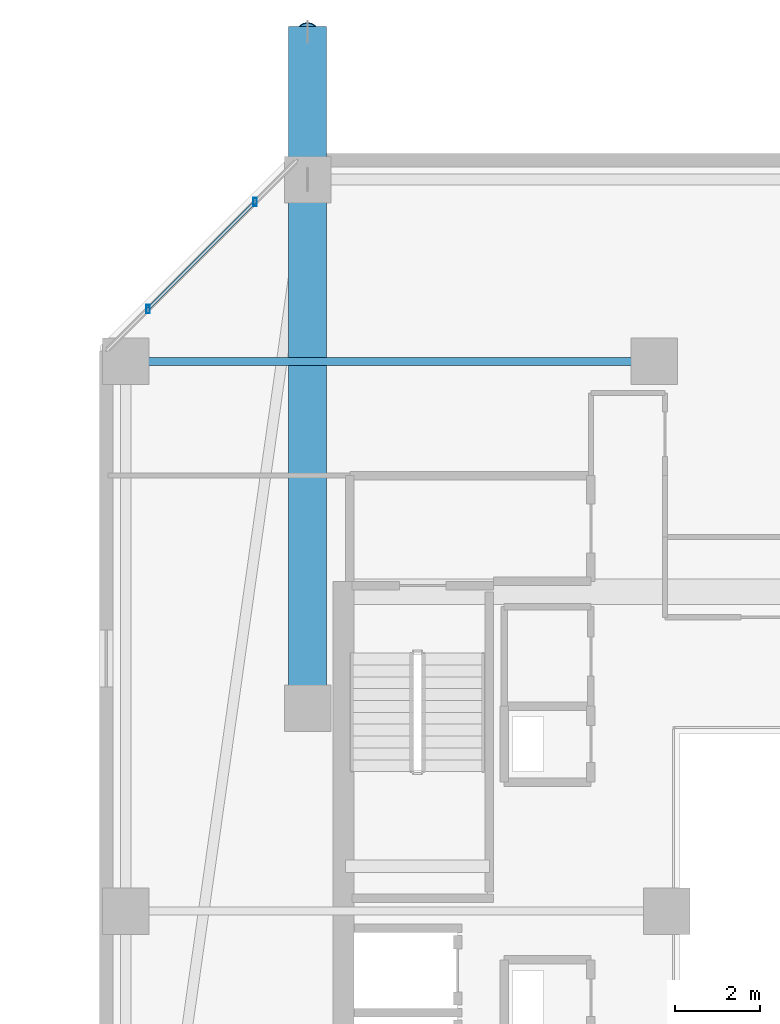
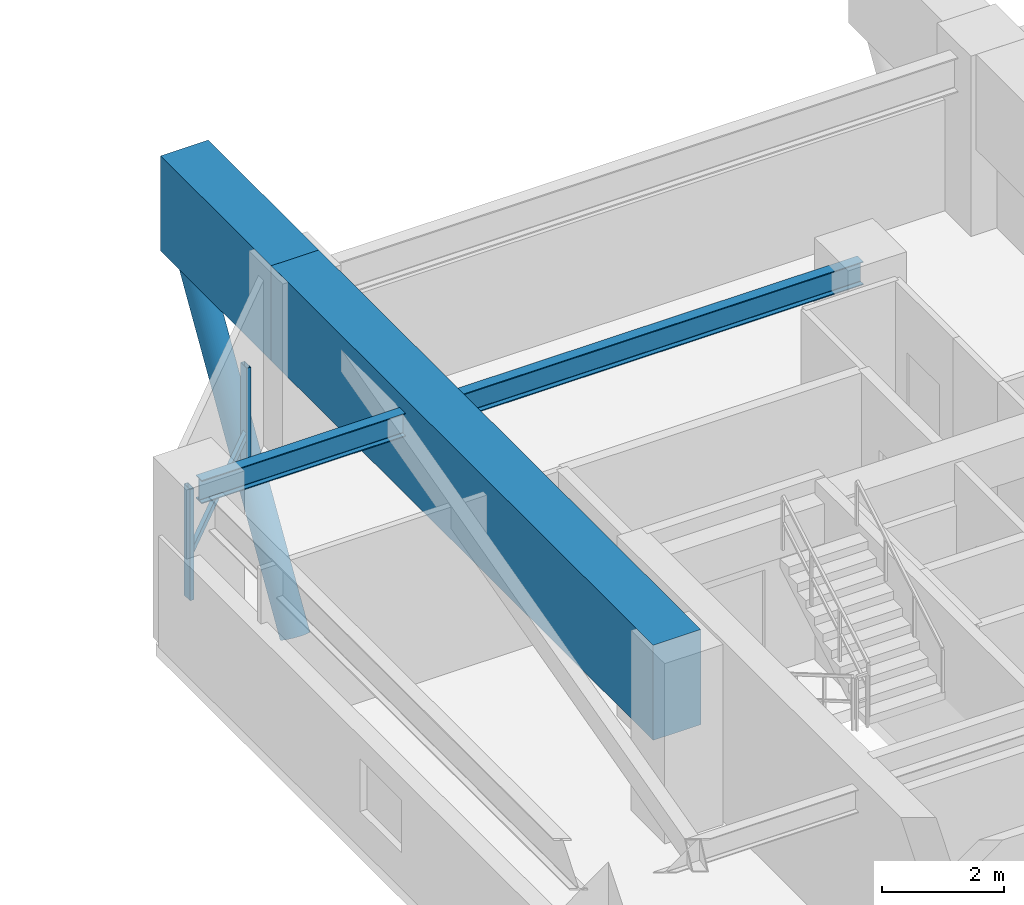
# One storey, part 14 of 35: 4 members, 3 beams, 1 element without a shape of its own.
"""IFC4 building model written with IfcOpenShell, lengths in metres."""

from ifc_helpers import new_model, si_unit, direction, frame, origin, origin_2d, place, context, subcontext, project, spatial, rectangle, hollow_rectangle, hollow_circle, i_section, extrude, material, material_profile, profile_set, type_object, element, aggregate, save


model = new_model("IFC4")

# Units and contexts
model_context = context("Model", 3, precision=1e-05, world=origin(), true_north=direction((0.0, 1.0)))
body_context = subcontext(model_context, "Body", "Model", "MODEL_VIEW")
ifc_project = project(units=[si_unit("LENGTHUNIT", "METRE"), si_unit("AREAUNIT", "SQUARE_METRE"), si_unit("VOLUMEUNIT", "CUBIC_METRE"), si_unit("PLANEANGLEUNIT", "RADIAN"), si_unit("MASSUNIT", "GRAM", prefix="KILO")], contexts=[model_context])

# Site, building, storey
site_placement = place(None, origin())
site = spatial("IfcSite", under=ifc_project, at=site_placement, CompositionType="ELEMENT")
building_placement = place(site_placement, origin())
building = spatial("IfcBuilding", under=site, at=building_placement, Name="Thornwick Lancets Civic Towers", CompositionType="ELEMENT")
storey_placement = place(building_placement, frame((0.0, 0.0, 145.5)))
storey = spatial("IfcBuildingStorey", under=building, at=storey_placement, Name="L38", CompositionType="ELEMENT", Elevation=145.5)

# Beams
ifc_material_1 = material(Name="Steel S355JR", Category="steel")
ifc_material_profile_1 = material_profile(ifc_material_1, i_section(OverallWidth=0.19189453125, OverallDepth=0.46337890625, WebThickness=0.010498046875, FlangeThickness=0.017578125, FilletRadius=0.01025390625, at=origin_2d()), Name="UKB 457x191x89")
ifc_profile_set_1 = profile_set([ifc_material_profile_1], Name="Steel S355JR")
beam_type_1 = type_object("IfcBeamType", Name="BM_JOIST_457_89", PredefinedType="JOIST", material=ifc_profile_set_1)
beam_1_placement = place(storey_placement, frame((83.699951171875, 40.0, 3.08837890625), z_axis=(-1.0, 0.0, 0.0), x_axis=(0.0, -1.0, 0.0)))
element("IfcBeam", 1, at=beam_1_placement, inside=storey, type_object=beam_type_1, Name="BM-RADIN-L38-B09", PredefinedType="JOIST", context=body_context, shape_type="SweptSolid", body=[
    extrude(i_section(OverallWidth=0.19189453125, OverallDepth=0.46337890625, WebThickness=0.010498046875, FlangeThickness=0.017578125, FilletRadius=0.01025390625, at=origin_2d()), origin(), (0.0, 0.0, 1.0), 12.5),
])
ifc_material_2 = material(Name="Concrete C60/75", Category="concrete")
ifc_material_profile_2 = material_profile(ifc_material_2, rectangle(XDim=0.89990234375, YDim=1.89990234375, at=origin_2d()), Name="RC 900x1900")
ifc_profile_set_2 = profile_set([ifc_material_profile_2], Name="Concrete C60/75")
beam_type_2 = type_object("IfcBeamType", Name="BM_TR_RC1900", PredefinedType="BEAM", material=ifc_profile_set_2)
beam_2_placement = place(storey_placement, frame((75.5, 31.800048828125, 2.64990234375), z_axis=(0.0, 1.0, 0.0), x_axis=(-1.0, 0.0, 0.0)))
element("IfcBeam", 2, at=beam_2_placement, inside=storey, type_object=beam_type_2, Name="TG-BACK-L39-B06", PredefinedType="BEAM", context=body_context, shape_type="SweptSolid", body=[
    extrude(rectangle(XDim=0.89990234375, YDim=1.89990234375, at=origin_2d()), origin(), (0.0, 0.0, 1.0), 12.5),
])
beam_3_placement = place(storey_placement, frame((75.5, 44.300048828125, 2.64990234375), z_axis=(0.0, 1.0, 0.0), x_axis=(-1.0, 0.0, 0.0)))
element("IfcBeam", 3, at=beam_3_placement, inside=storey, type_object=beam_type_2, Name="TG-CANT-L39-B06", PredefinedType="BEAM", context=body_context, shape_type="SweptSolid", body=[
    extrude(rectangle(XDim=0.89990234375, YDim=1.89990234375, at=origin_2d()), origin(), (0.0, 0.0, 1.0), 3.619873046875),
])

# Curtain wall, members
ifc_material_3 = material(Name="Mid-zone chamfered-corner unitised glass curtain wall", Category="glass")
curtain_wall_type = type_object("IfcCurtainWallType", Name="CW_SYS_04", PredefinedType="NOTDEFINED", material=ifc_material_3)
curtain_wall_placement = place(storey_placement, origin())
curtain_wall = element("IfcCurtainWall", 4, at=curtain_wall_placement, inside=storey, type_object=curtain_wall_type, Name="L38 Curtain Wall CW-L38-B-E5", PredefinedType="NOTDEFINED")
ifc_material_4 = material(Name="Thermally broken bronze aluminium S355", Category="steel")
ifc_material_profile_3 = material_profile(ifc_material_4, hollow_rectangle(XDim=0.080078125, YDim=0.199951171875, WallThickness=0.006103515625, at=origin_2d()), Name="RHS 200x80x6")
ifc_profile_set_3 = profile_set([ifc_material_profile_3], Name="Thermally broken bronze aluminium S355")
member_type_1 = type_object("IfcMemberType", Name="CW_MUL_200", PredefinedType="MULLION", material=ifc_profile_set_3)
member_1_placement = place(storey_placement, frame((74.261474609375, 43.770751953125, 0.0), z_axis=(0.0, 0.0, 1.0), x_axis=(1.0, 0.0, 0.0)))
member_1 = element("IfcMember", 5, at=member_1_placement, type_object=member_type_1, Name="CW-L38-B-E5 Mullion 0", PredefinedType="MULLION", context=body_context, shape_type="SweptSolid", body=[
    extrude(hollow_rectangle(XDim=0.080078125, YDim=0.199951171875, WallThickness=0.006103515625, at=origin_2d()), origin(), (0.0, 0.0, 1.0), 2.219970703125),
])
member_2_placement = place(storey_placement, frame((71.729248046875, 41.238525390625, 0.0), z_axis=(0.0, 0.0, 1.0), x_axis=(1.0, 0.0, 0.0)))
member_2 = element("IfcMember", 6, at=member_2_placement, type_object=member_type_1, Name="CW-L38-B-E5 Mullion 1", PredefinedType="MULLION", context=body_context, shape_type="SweptSolid", body=[
    extrude(hollow_rectangle(XDim=0.080078125, YDim=0.199951171875, WallThickness=0.006103515625, at=origin_2d()), origin(), (0.0, 0.0, 1.0), 2.219970703125),
])
ifc_material_profile_4 = material_profile(ifc_material_4, hollow_rectangle(XDim=0.074951171875, YDim=0.14990234375, WallThickness=0.0048828125, at=origin_2d()), Name="RHS 150x75x5")
ifc_profile_set_4 = profile_set([ifc_material_profile_4], Name="Thermally broken bronze aluminium S355")
member_type_2 = type_object("IfcMemberType", Name="CW_TRN_150", PredefinedType="USERDEFINED", material=ifc_profile_set_4)
member_3_placement = place(storey_placement, frame((74.247314453125, 43.756591796875, 0.85009765625), z_axis=(-0.707106781187, -0.707106781187, 0.0), x_axis=(0.707106781187, -0.707106781187, 0.0)))
member_3 = element("IfcMember", 7, at=member_3_placement, type_object=member_type_2, Name="CW-L38-B-E5 Transom 0", ObjectType="TRANSOM", PredefinedType="USERDEFINED", context=body_context, shape_type="SweptSolid", body=[
    extrude(hollow_rectangle(XDim=0.074951171875, YDim=0.14990234375, WallThickness=0.0048828125, at=origin_2d()), origin(), (0.0, 0.0, 1.0), 3.541015625),
])
aggregate(curtain_wall, [member_1, member_2, member_3])

# Member
ifc_material_5 = material(Name="Steel S460M", Category="steel")
ifc_material_profile_5 = material_profile(ifc_material_5, hollow_circle(Radius=0.25390625, WallThickness=0.02490234375, at=origin_2d()), Name="CHS 508x25")
ifc_profile_set_5 = profile_set([ifc_material_profile_5], Name="Steel S460M")
member_type_3 = type_object("IfcMemberType", Name="MEM_STRUT_CHS508", PredefinedType="STRUT", material=ifc_profile_set_5)
member_4_placement = place(storey_placement, frame((75.5, 44.300048828125, -3.949951171875), z_axis=(0.0, 0.52127056277, 0.853391469602), x_axis=(-1.0, 0.0, 0.0)))
element("IfcMember", 8, at=member_4_placement, inside=storey, type_object=member_type_3, Name="L39 Jenga Transfer Raking Strut B06", PredefinedType="STRUT", context=body_context, shape_type="SweptSolid", body=[
    extrude(hollow_circle(Radius=0.25390625, WallThickness=0.02490234375, at=origin_2d()), origin(), (0.0, 0.0, 1.0), 6.71435546875),
])

save(model, "model.ifc")
